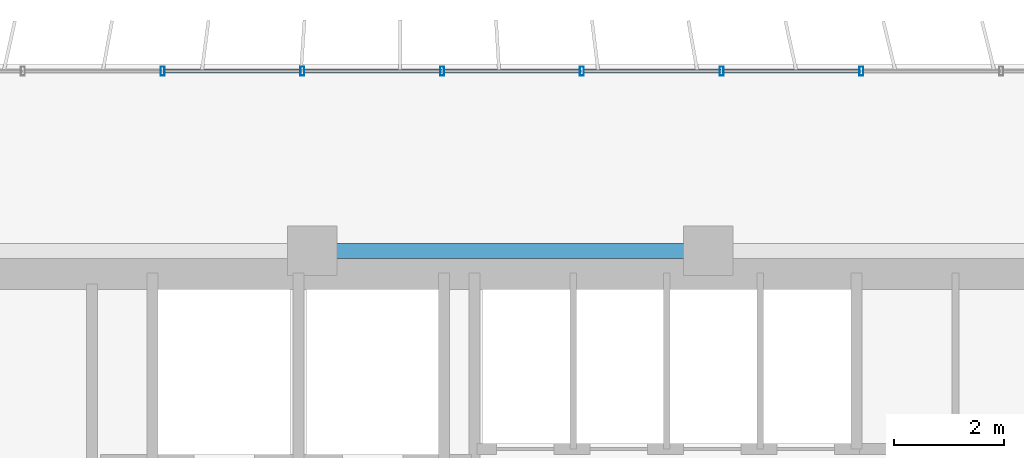
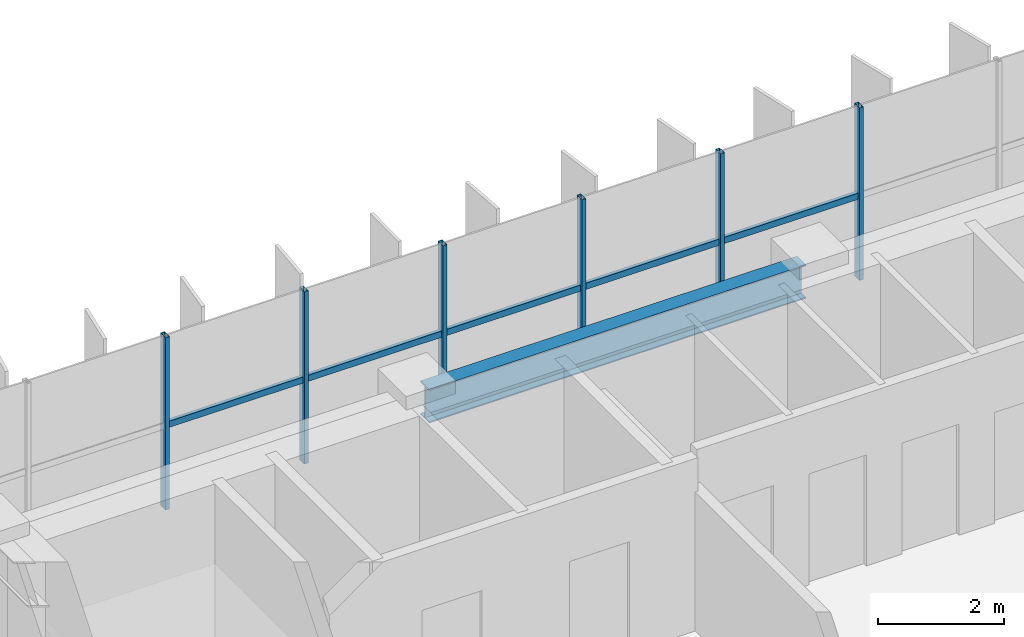
# One storey, part 7 of 22: 11 members, 1 beam, 1 element without a shape of its own.
"""IFC4 building model written with IfcOpenShell, lengths in metres."""

from ifc_helpers import new_model, si_unit, direction, frame, origin, origin_2d, place, context, subcontext, project, spatial, hollow_rectangle, i_section, extrude, source, transform, mapped, material, material_profile, profile_set, type_object, element, aggregate, save


model = new_model("IFC4")

# Units and contexts
model_context = context("Model", 3, precision=1e-05, world=origin(), true_north=direction((0.0, 1.0)))
body_context = subcontext(model_context, "Body", "Model", "MODEL_VIEW")
ifc_project = project(units=[si_unit("LENGTHUNIT", "METRE"), si_unit("AREAUNIT", "SQUARE_METRE"), si_unit("VOLUMEUNIT", "CUBIC_METRE"), si_unit("PLANEANGLEUNIT", "RADIAN"), si_unit("MASSUNIT", "GRAM", prefix="KILO")], contexts=[model_context])

# Site, building, storey
site_placement = place(None, origin())
site = spatial("IfcSite", under=ifc_project, at=site_placement, CompositionType="ELEMENT")
building_placement = place(site_placement, origin())
building = spatial("IfcBuilding", under=site, at=building_placement, Name="Trelvane Seafront Commons", CompositionType="ELEMENT")
storey_placement = place(building_placement, frame((0.0, 0.0, 52.300048828125)))
storey = spatial("IfcBuildingStorey", under=building, at=storey_placement, Name="L13", CompositionType="ELEMENT", Elevation=52.300048828125)

# Beam
ifc_material_1 = material(Name="Steel SM355 (S355)", Category="steel")
ifc_material_profile_1 = material_profile(ifc_material_1, i_section(OverallWidth=0.280029296875, OverallDepth=0.64990234375, WebThickness=0.012939453125, FlangeThickness=0.02197265625, at=origin_2d()), Name="H-650x280x13x22")
ifc_profile_set_1 = profile_set([ifc_material_profile_1], Name="Steel SM355 (S355)")
beam_type = type_object("IfcBeamType", Name="STR-BM-H650", PredefinedType="BEAM", material=ifc_profile_set_1)
shared_shape_1 = source(origin(), body_context, "Body", "SweptSolid", [
    extrude(i_section(OverallWidth=0.280029296875, OverallDepth=0.64990234375, WebThickness=0.012939453125, FlangeThickness=0.02197265625, at=origin_2d()), origin(), (0.0, 0.0, 1.0), 6.89990234375),
])
beam_placement = place(storey_placement, frame((23.550048828125, 45.10009765625, 3.014892578125), z_axis=(1.0, 0.0, 0.0), x_axis=(0.0, 1.0, 0.0)))
element("IfcBeam", 1, at=beam_placement, inside=storey, type_object=beam_type, Name="L13 Primary Girder G-31", PredefinedType="BEAM", context=body_context, shape_type="MappedRepresentation", body=[
    mapped(shared_shape_1, transform((0.0, 0.0, 0.0), x_axis=(1.0, 0.0, 0.0), y_axis=(0.0, 1.0, 0.0), z_axis=(0.0, 0.0, 1.0), scale=1.0)),
])

# Curtain wall, members
ifc_material_2 = material(Name="Anodised pale-silver aluminium", Category="aluminium")
curtain_wall_type = type_object("IfcCurtainWallType", Name="ARCH-CW2-LOWTOWER", PredefinedType="NOTDEFINED", material=ifc_material_2)
curtain_wall_placement = place(storey_placement, origin())
curtain_wall = element("IfcCurtainWall", 2, at=curtain_wall_placement, inside=storey, type_object=curtain_wall_type, Name="CW-L13-0037", PredefinedType="NOTDEFINED")
ifc_material_profile_2 = material_profile(ifc_material_2, hollow_rectangle(XDim=0.070068359375, YDim=0.1201171875, WallThickness=0.00390625, at=origin_2d()), Name="TRAN-70x120x4")
ifc_profile_set_2 = profile_set([ifc_material_profile_2], Name="Anodised pale-silver aluminium")
member_type_1 = type_object("IfcMemberType", Name="ARCH-CW-TRAN-120", PredefinedType="USERDEFINED", material=ifc_profile_set_2)
shared_shape_2 = source(origin(), body_context, "Body", "SweptSolid", [
    extrude(hollow_rectangle(XDim=0.070068359375, YDim=0.1201171875, WallThickness=0.00390625, at=origin_2d()), origin(), (0.0, 0.0, 1.0), 2.51708984375),
])
member_1_placement = place(storey_placement, frame((20.6943359375, 48.3701171875, 1.60302734375), z_axis=(1.0, 0.0, 0.0), x_axis=(0.0, 1.0, 0.0)))
member_1 = element("IfcMember", 3, at=member_1_placement, type_object=member_type_1, Name="CW-L13-0037-T02", ObjectType="TRANSOM", PredefinedType="USERDEFINED", context=body_context, shape_type="MappedRepresentation", body=[
    mapped(shared_shape_2, transform((0.0, 0.0, 0.0), x_axis=(1.0, 0.0, 0.0), y_axis=(0.0, 1.0, 0.0), z_axis=(0.0, 0.0, 1.0), scale=1.0)),
])
member_2_placement = place(storey_placement, frame((23.235595703125, 48.3701171875, 1.60302734375), z_axis=(1.0, 0.0, 0.0), x_axis=(0.0, 1.0, 0.0)))
member_2 = element("IfcMember", 4, at=member_2_placement, type_object=member_type_1, Name="CW-L13-0037-T03", ObjectType="TRANSOM", PredefinedType="USERDEFINED", context=body_context, shape_type="MappedRepresentation", body=[
    mapped(shared_shape_2, transform((0.0, 0.0, 0.0), x_axis=(1.0, 0.0, 0.0), y_axis=(0.0, 1.0, 0.0), z_axis=(0.0, 0.0, 1.0), scale=1.0)),
])
member_3_placement = place(storey_placement, frame((30.859130859375, 48.3701171875, 1.60302734375), z_axis=(1.0, 0.0, 0.0), x_axis=(0.0, 1.0, 0.0)))
member_3 = element("IfcMember", 5, at=member_3_placement, type_object=member_type_1, Name="CW-L13-0037-T06", ObjectType="TRANSOM", PredefinedType="USERDEFINED", context=body_context, shape_type="MappedRepresentation", body=[
    mapped(shared_shape_2, transform((0.0, 0.0, 0.0), x_axis=(1.0, 0.0, 0.0), y_axis=(0.0, 1.0, 0.0), z_axis=(0.0, 0.0, 1.0), scale=1.0)),
])
shared_shape_3 = source(origin(), body_context, "Body", "SweptSolid", [
    extrude(hollow_rectangle(XDim=0.070068359375, YDim=0.1201171875, WallThickness=0.00390625, at=origin_2d()), origin(), (0.0, 0.0, 1.0), 2.517333984375),
])
member_4_placement = place(storey_placement, frame((25.776611328125, 48.3701171875, 1.60302734375), z_axis=(1.0, 0.0, 0.0), x_axis=(0.0, 1.0, 0.0)))
member_4 = element("IfcMember", 6, at=member_4_placement, type_object=member_type_1, Name="CW-L13-0037-T04", ObjectType="TRANSOM", PredefinedType="USERDEFINED", context=body_context, shape_type="MappedRepresentation", body=[
    mapped(shared_shape_3, transform((0.0, 0.0, 0.0), x_axis=(1.0, 0.0, 0.0), y_axis=(0.0, 1.0, 0.0), z_axis=(0.0, 0.0, 1.0), scale=1.0)),
])
member_5_placement = place(storey_placement, frame((28.31787109375, 48.3701171875, 1.60302734375), z_axis=(1.0, 0.0, 0.0), x_axis=(0.0, 1.0, 0.0)))
member_5 = element("IfcMember", 7, at=member_5_placement, type_object=member_type_1, Name="CW-L13-0037-T05", ObjectType="TRANSOM", PredefinedType="USERDEFINED", context=body_context, shape_type="MappedRepresentation", body=[
    mapped(shared_shape_3, transform((0.0, 0.0, 0.0), x_axis=(1.0, 0.0, 0.0), y_axis=(0.0, 1.0, 0.0), z_axis=(0.0, 0.0, 1.0), scale=1.0)),
])
ifc_material_profile_3 = material_profile(ifc_material_2, hollow_rectangle(XDim=0.074951171875, YDim=0.159912109375, WallThickness=0.00390625, at=origin_2d()), Name="MULL-75x160x4")
ifc_profile_set_3 = profile_set([ifc_material_profile_3], Name="Anodised pale-silver aluminium")
member_type_2 = type_object("IfcMemberType", Name="ARCH-CW-MULL-160", PredefinedType="MULLION", material=ifc_profile_set_3)
shared_shape_4 = source(origin(), body_context, "Body", "SweptSolid", [
    extrude(hollow_rectangle(XDim=0.074951171875, YDim=0.159912109375, WallThickness=0.00390625, at=origin_2d()), origin(), (0.0, 0.0, 1.0), 3.33984375),
])
member_6_placement = place(storey_placement, frame((20.682373046875, 48.3701171875, 0.0), z_axis=(0.0, 0.0, 1.0), x_axis=(1.0, 0.0, 0.0)))
member_6 = element("IfcMember", 8, at=member_6_placement, type_object=member_type_2, Name="CW-L13-0037-M02", PredefinedType="MULLION", context=body_context, shape_type="MappedRepresentation", body=[
    mapped(shared_shape_4, transform((0.0, 0.0, 0.0), x_axis=(1.0, 0.0, 0.0), y_axis=(0.0, 1.0, 0.0), z_axis=(0.0, 0.0, 1.0), scale=1.0)),
])
member_7_placement = place(storey_placement, frame((23.223388671875, 48.3701171875, 0.0), z_axis=(0.0, 0.0, 1.0), x_axis=(1.0, 0.0, 0.0)))
member_7 = element("IfcMember", 9, at=member_7_placement, type_object=member_type_2, Name="CW-L13-0037-M03", PredefinedType="MULLION", context=body_context, shape_type="MappedRepresentation", body=[
    mapped(shared_shape_4, transform((0.0, 0.0, 0.0), x_axis=(1.0, 0.0, 0.0), y_axis=(0.0, 1.0, 0.0), z_axis=(0.0, 0.0, 1.0), scale=1.0)),
])
member_8_placement = place(storey_placement, frame((25.7646484375, 48.3701171875, 0.0), z_axis=(0.0, 0.0, 1.0), x_axis=(1.0, 0.0, 0.0)))
member_8 = element("IfcMember", 10, at=member_8_placement, type_object=member_type_2, Name="CW-L13-0037-M04", PredefinedType="MULLION", context=body_context, shape_type="MappedRepresentation", body=[
    mapped(shared_shape_4, transform((0.0, 0.0, 0.0), x_axis=(1.0, 0.0, 0.0), y_axis=(0.0, 1.0, 0.0), z_axis=(0.0, 0.0, 1.0), scale=1.0)),
])
member_9_placement = place(storey_placement, frame((28.305908203125, 48.3701171875, 0.0), z_axis=(0.0, 0.0, 1.0), x_axis=(1.0, 0.0, 0.0)))
member_9 = element("IfcMember", 11, at=member_9_placement, type_object=member_type_2, Name="CW-L13-0037-M05", PredefinedType="MULLION", context=body_context, shape_type="MappedRepresentation", body=[
    mapped(shared_shape_4, transform((0.0, 0.0, 0.0), x_axis=(1.0, 0.0, 0.0), y_axis=(0.0, 1.0, 0.0), z_axis=(0.0, 0.0, 1.0), scale=1.0)),
])
member_10_placement = place(storey_placement, frame((30.84716796875, 48.3701171875, 0.0), z_axis=(0.0, 0.0, 1.0), x_axis=(1.0, 0.0, 0.0)))
member_10 = element("IfcMember", 12, at=member_10_placement, type_object=member_type_2, Name="CW-L13-0037-M06", PredefinedType="MULLION", context=body_context, shape_type="MappedRepresentation", body=[
    mapped(shared_shape_4, transform((0.0, 0.0, 0.0), x_axis=(1.0, 0.0, 0.0), y_axis=(0.0, 1.0, 0.0), z_axis=(0.0, 0.0, 1.0), scale=1.0)),
])
member_11_placement = place(storey_placement, frame((33.38818359375, 48.3701171875, 0.0), z_axis=(0.0, 0.0, 1.0), x_axis=(1.0, 0.0, 0.0)))
member_11 = element("IfcMember", 13, at=member_11_placement, type_object=member_type_2, Name="CW-L13-0037-M07", PredefinedType="MULLION", context=body_context, shape_type="MappedRepresentation", body=[
    mapped(shared_shape_4, transform((0.0, 0.0, 0.0), x_axis=(1.0, 0.0, 0.0), y_axis=(0.0, 1.0, 0.0), z_axis=(0.0, 0.0, 1.0), scale=1.0)),
])
aggregate(curtain_wall, [member_6, member_7, member_8, member_9, member_10, member_11, member_1, member_2, member_4, member_5, member_3])

save(model, "model.ifc")
